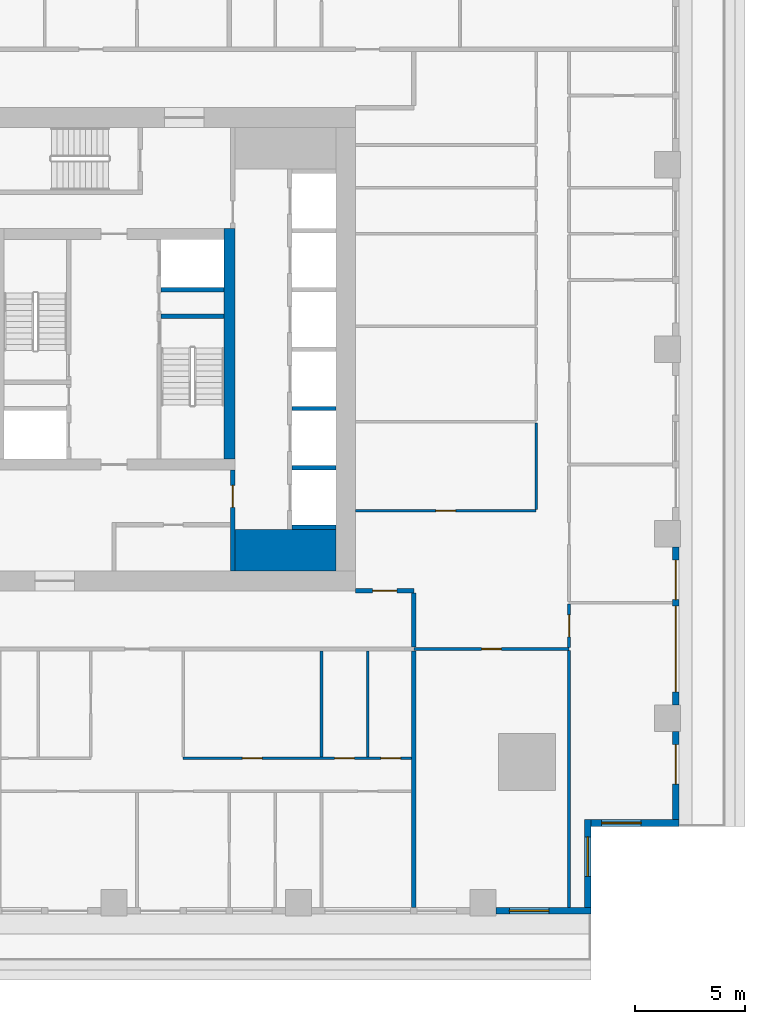
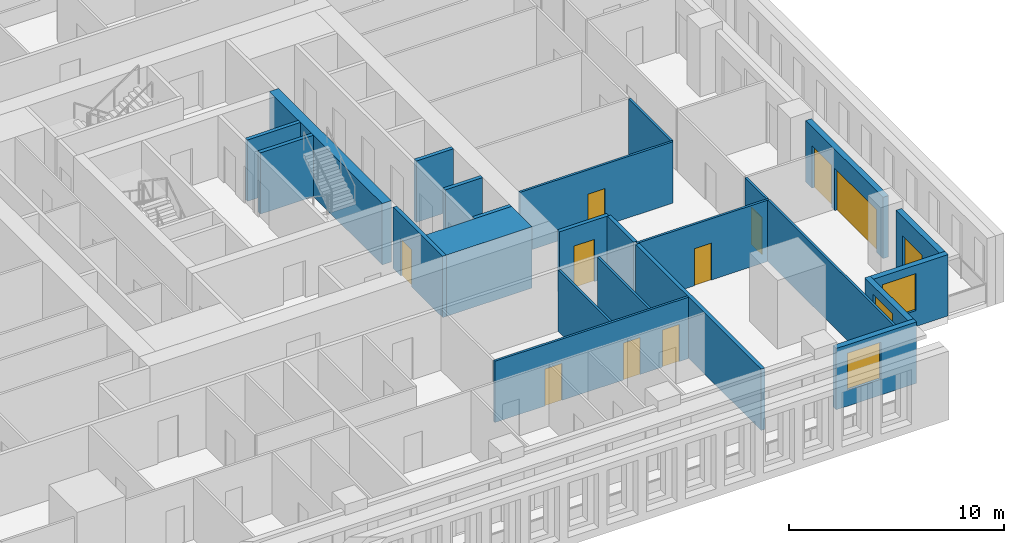
# One storey, part 5 of 16: 24 walls, 11 doors, 3 windows, 14 openings.
"""IFC4 building model written with IfcOpenShell, lengths in metres."""

import ifcopenshell
import ifcopenshell.guid

model = None  # the IFC model being written
_history = None  # IfcOwnerHistory: only IFC2X3 demands one
_inside = {}  # id of a spatial element -> (the spatial element, [elements in it])
_under = {}  # id of a project, library or spatial element -> (it, [spatial elements below it])
_declared = {}  # id of a project -> (the project, [libraries it declares])
_typed = {}  # id of a type object -> (the type object, [elements of that type])
_made_of = {}  # id of a material, layer set ... -> (it, [elements and type objects made of it])


def new_model(schema):
    """Start an empty IFC model of exactly this schema.

    Asked for "IFC4X3", IfcOpenShell would pick the latest addendum, in which some entities
    have other attributes; the version numbers below select the first issue.
    IFC2X3 requires an IfcOwnerHistory on every rooted entity: one is made here for all.
    """
    global model, _history
    if schema == "IFC4X3":
        model = ifcopenshell.file(schema_version=(4, 3, 0, 0))
    else:
        model = ifcopenshell.file(schema=schema)
    _inside.clear()
    _under.clear()
    _declared.clear()
    _typed.clear()
    _made_of.clear()
    _history = None
    if model.schema == "IFC2X3":
        org = make("IfcOrganization", Name="unknown")
        user = make(
            "IfcPersonAndOrganization",
            ThePerson=make("IfcPerson", FamilyName="unknown"),
            TheOrganization=org,
        )
        app = make(
            "IfcApplication",
            ApplicationDeveloper=org,
            Version="unknown",
            ApplicationFullName="unknown",
            ApplicationIdentifier="unknown",
        )
        _history = make(
            "IfcOwnerHistory",
            OwningUser=user,
            OwningApplication=app,
            ChangeAction="ADDED",
            CreationDate=0,
        )
    return model


def make(cls, **values):
    """One entity of the class cls with the attributes given. An attribute that is None is left unset."""
    return model.create_entity(
        cls, **{name: value for name, value in values.items() if value is not None}
    )


def rooted(cls, **values):
    """An entity with a GlobalId (a new one), such as an element, a storey or a relation."""
    return make(cls, GlobalId=ifcopenshell.guid.new(), OwnerHistory=_history, **values)


def si_unit(unit_type, name, prefix=None):
    """IfcSIUnit, for example si_unit("LENGTHUNIT", "METRE", prefix="MILLI")."""
    return make("IfcSIUnit", UnitType=unit_type, Prefix=prefix, Name=name)


def assignment(units):
    """IfcUnitAssignment: the units of a project."""
    return None if units is None else make("IfcUnitAssignment", Units=units)


def point(xyz):
    """IfcCartesianPoint."""
    return None if xyz is None else make("IfcCartesianPoint", Coordinates=xyz)


def direction(xyz):
    """IfcDirection."""
    return None if xyz is None else make("IfcDirection", DirectionRatios=xyz)


def frame(location, z_axis=None, x_axis=None):
    """IfcAxis2Placement3D, a coordinate frame: its origin and axes. An axis left out is left unset."""
    return make(
        "IfcAxis2Placement3D",
        Location=point(location),
        Axis=direction(z_axis),
        RefDirection=direction(x_axis),
    )


def frame_2d(location, x_axis=None):
    """IfcAxis2Placement2D, a coordinate frame in the plane: its origin and x axis."""
    return make(
        "IfcAxis2Placement2D", Location=point(location), RefDirection=direction(x_axis)
    )


def origin():
    """The frame at (0, 0, 0) with its axes left unset."""
    return frame((0.0, 0.0, 0.0))


def place(relative_to, where):
    """IfcLocalPlacement: puts the frame where relative to a parent placement (None: the world)."""
    return make(
        "IfcLocalPlacement", PlacementRelTo=relative_to, RelativePlacement=where
    )


def context(
    kind, dimensions, precision=None, world=None, true_north=None, identifier=None
):
    """IfcGeometricRepresentationContext, for example the 3D "Model" context."""
    return make(
        "IfcGeometricRepresentationContext",
        ContextIdentifier=identifier,
        ContextType=kind,
        CoordinateSpaceDimension=dimensions,
        Precision=precision,
        WorldCoordinateSystem=world,
        TrueNorth=true_north,
    )


def subcontext(parent, identifier, kind, view, scale=None):
    """IfcGeometricRepresentationSubContext, for example "Body" below "Model"."""
    return make(
        "IfcGeometricRepresentationSubContext",
        ContextIdentifier=identifier,
        ContextType=kind,
        ParentContext=parent,
        TargetScale=scale,
        TargetView=view,
    )


def project(units=None, contexts=None):
    """IfcProject with its units and contexts."""
    return rooted(
        "IfcProject",
        Name="project",
        RepresentationContexts=contexts,
        UnitsInContext=assignment(units),
    )


def spatial(cls, under=None, at=None, **own):
    """A site, building, storey or space (cls), placed at a placement, below another one or the project."""
    s = rooted(cls, ObjectPlacement=at, **own)
    if under is not None:
        _under.setdefault(under.id(), (under, []))[1].append(s)
    return s


def profile(cls, at=None, kind="AREA", **sizes):
    """A parametric profile (cls). Its sizes go by their IFC names, for example OverallWidth=200.0."""
    return make(cls, ProfileType=kind, Position=at, **sizes)


def rectangle(**sizes):
    """IfcRectangleProfileDef."""
    return profile("IfcRectangleProfileDef", **sizes)


def extrude(swept, where, along, depth):
    """IfcExtrudedAreaSolid: the profile swept, set in the frame where, extruded along a direction by depth."""
    return make(
        "IfcExtrudedAreaSolid",
        SweptArea=swept,
        Position=where,
        ExtrudedDirection=direction(along),
        Depth=depth,
    )


def shape(context_of_items, identifier, shape_type, items):
    """IfcShapeRepresentation: the items that make up one representation, for example the "Body"."""
    return make(
        "IfcShapeRepresentation",
        ContextOfItems=context_of_items,
        RepresentationIdentifier=identifier,
        RepresentationType=shape_type,
        Items=items,
    )


def material(Name=None, Category=None):
    """IfcMaterial."""
    return make("IfcMaterial", Name=Name, Category=Category)


def layer(
    of_material, thickness, ventilated=None, Name=None, Category=None, Priority=None
):
    """IfcMaterialLayer: one layer of a wall or slab, of a material (None: an air gap)."""
    return make(
        "IfcMaterialLayer",
        Material=of_material,
        LayerThickness=thickness,
        IsVentilated=ventilated,
        Name=Name,
        Category=Category,
        Priority=Priority,
    )


def layer_set(layers, Name=None):
    """IfcMaterialLayerSet."""
    return make("IfcMaterialLayerSet", MaterialLayers=layers, LayerSetName=Name)


def made_of(thing, what):
    """Note that an element or type object is made of a material, layer set ...; save() writes the relation."""
    if what is not None:
        _made_of.setdefault(what.id(), (what, []))[1].append(thing)
    return thing


def type_object(cls, material=None, **own):
    """A type object (cls), such as IfcWallType, which elements share."""
    return made_of(rooted(cls, **own), material)


def element(
    cls,
    number,
    at=None,
    inside=None,
    cuts=None,
    type_object=None,
    material=None,
    context=None,
    identifier="Body",
    shape_type=None,
    held_by="IfcProductDefinitionShape",
    body=None,
    shapes=None,
    **own,
):
    """One element of the class cls, such as IfcWall. Its Tag is "e" and its number.

    at: its placement. inside: the storey or other place that contains it. cuts: it is an
    opening in that element (IfcRelVoidsElement). A single representation is given by context,
    identifier, shape_type and body (its items); several are given by shapes. held_by: the class
    of the entity that holds the representations. save() writes the other relations.
    """
    e = rooted(cls, Tag="e%d" % number, ObjectPlacement=at, **own)
    if body is not None:
        shapes = [shape(context, identifier, shape_type, body)]
    if shapes is not None:
        e.Representation = make(held_by, Representations=shapes)
    if inside is not None:
        _inside.setdefault(inside.id(), (inside, []))[1].append(e)
    if cuts is not None:
        rooted(
            "IfcRelVoidsElement", RelatingBuildingElement=cuts, RelatedOpeningElement=e
        )
    if type_object is not None:
        _typed.setdefault(type_object.id(), (type_object, []))[1].append(e)
    return made_of(e, material)


def fill(opening, filler):
    """IfcRelFillsElement: the door or window that sits in an opening."""
    return rooted(
        "IfcRelFillsElement",
        RelatingOpeningElement=opening,
        RelatedBuildingElement=filler,
    )


def aggregate(whole, parts):
    """IfcRelAggregates: a whole, such as a stair, and the parts it consists of."""
    return rooted("IfcRelAggregates", RelatingObject=whole, RelatedObjects=parts)


def save(model, path):
    """Write the relations noted so far, then the file.

    IfcRelAggregates (storeys below a building ...), IfcRelContainedInSpatialStructure (elements
    in a storey), IfcRelDefinesByType, IfcRelAssociatesMaterial and IfcRelDeclares: one each for
    every whole, place, type object, material and project.
    """
    for whole, parts in _under.values():
        aggregate(whole, parts)
    for where, things in _inside.values():
        rooted(
            "IfcRelContainedInSpatialStructure",
            RelatedElements=things,
            RelatingStructure=where,
        )
    for kind, things in _typed.values():
        rooted("IfcRelDefinesByType", RelatedObjects=things, RelatingType=kind)
    for what, things in _made_of.values():
        rooted("IfcRelAssociatesMaterial", RelatedObjects=things, RelatingMaterial=what)
    for by, libraries in _declared.values():
        rooted("IfcRelDeclares", RelatingContext=by, RelatedDefinitions=libraries)
    model.write(path)


model = new_model("IFC4")

# Units and contexts
model_context = context("Model", 3, precision=1e-05, world=origin(), true_north=direction((0.0, 1.0)))
body_context = subcontext(model_context, "Body", "Model", "MODEL_VIEW")
ifc_project = project(units=[si_unit("LENGTHUNIT", "METRE"), si_unit("AREAUNIT", "SQUARE_METRE"), si_unit("VOLUMEUNIT", "CUBIC_METRE"), si_unit("PLANEANGLEUNIT", "RADIAN"), si_unit("MASSUNIT", "GRAM", prefix="KILO")], contexts=[model_context])

# Site, building, storey
site_placement = place(None, origin())
site = spatial("IfcSite", under=ifc_project, at=site_placement, CompositionType="ELEMENT")
building_placement = place(site_placement, origin())
building = spatial("IfcBuilding", under=site, at=building_placement, Name="Khepri Terraces", CompositionType="ELEMENT")
storey_placement = place(building_placement, frame((0.0, 0.0, 137.699951171875)))
storey = spatial("IfcBuildingStorey", under=building, at=storey_placement, Name="L32", CompositionType="ELEMENT", Elevation=137.699951171875)

# Walls
ifc_material_1 = material(Name="Concrete C60/75", Category="concrete")
ifc_layer_1 = layer(ifc_material_1, 1.89990234375, Name="Concrete C60/75", Category="concrete")
ifc_layer_set_1 = layer_set([ifc_layer_1], Name="Concrete C60/75")
wall_type_1 = type_object("IfcWallType", Name="Core wall 1900 C60/75", PredefinedType="SHEAR", material=ifc_layer_set_1)
wall_1_placement = place(storey_placement, frame((5.5, -9.14990234375, 0.0), z_axis=(0.0, 0.0, 1.0), x_axis=(1.0, 0.0, 0.0)))
element("IfcWall", 1, at=wall_1_placement, inside=storey, type_object=wall_type_1, Name="Core wall PR02 L32", PredefinedType="SHEAR", context=body_context, shape_type="SweptSolid", body=[
    extrude(rectangle(XDim=4.60009765625, YDim=1.89990234375, at=frame_2d((2.300048828125, 0.0))), origin(), (0.0, 0.0, 1.0), 3.47998046875),
])
ifc_layer_2 = layer(ifc_material_1, 0.199951171875, Name="Concrete C60/75", Category="concrete")
ifc_layer_set_2 = layer_set([ifc_layer_2], Name="Concrete C60/75")
wall_type_2 = type_object("IfcWallType", Name="Core wall 200 C60/75", PredefinedType="SHEAR", material=ifc_layer_set_2)
wall_2_placement = place(storey_placement, frame((2.14990234375, 1.5, 0.0), z_axis=(0.0, 0.0, 1.0), x_axis=(1.0, 0.0, 0.0)))
element("IfcWall", 2, at=wall_2_placement, inside=storey, type_object=wall_type_2, Name="Core wall ST04 L32", PredefinedType="SHEAR", context=body_context, shape_type="SweptSolid", body=[
    extrude(rectangle(XDim=2.85009765625, YDim=0.199951171875, at=frame_2d((1.425048828125, 0.0))), origin(), (0.0, 0.0, 1.0), 3.47998046875),
])
for number, where, z_axis, x_axis, name in (
    (3, (8.10009765625, -8.10009765625, 0.0), (0.0, 0.0, 1.0), (1.0, 0.0, 0.0), "Core wall SH03 L32"),
    (4, (8.10009765625, -5.39990234375, 0.0), (0.0, 0.0, 1.0), (1.0, 0.0, 0.0), "Core wall SH04 L32"),
    (5, (8.10009765625, -2.699951171875, 0.0), (0.0, 0.0, 1.0), (1.0, 0.0, 0.0), "Core wall SH08 L32"),
):
    element("IfcWall", number, at=place(storey_placement, frame(where, z_axis=z_axis, x_axis=x_axis)), inside=storey, type_object=wall_type_2, Name=name, PredefinedType="SHEAR", context=body_context, shape_type="SweptSolid", body=[
        extrude(rectangle(XDim=2.0, YDim=0.199951171875, at=frame_2d((1.0, 0.0))), origin(), (0.0, 0.0, 1.0), 3.47998046875),
    ])
wall_3_placement = place(storey_placement, frame((2.14990234375, 2.699951171875, 0.0), z_axis=(0.0, 0.0, 1.0), x_axis=(1.0, 0.0, 0.0)))
element("IfcWall", 6, at=wall_3_placement, inside=storey, type_object=wall_type_2, Name="Core wall SH12 L32", PredefinedType="SHEAR", context=body_context, shape_type="SweptSolid", body=[
    extrude(rectangle(XDim=2.85009765625, YDim=0.199951171875, at=frame_2d((1.425048828125, 0.0))), origin(), (0.0, 0.0, 1.0), 3.47998046875),
])
ifc_layer_3 = layer(ifc_material_1, 0.5, Name="Concrete C60/75", Category="concrete")
ifc_layer_set_3 = layer_set([ifc_layer_3], Name="Concrete C60/75")
wall_type_3 = type_object("IfcWallType", Name="Core wall 500 C60/75", PredefinedType="SHEAR", material=ifc_layer_set_3)
wall_4_placement = place(storey_placement, frame((5.25, -5.0, 0.0), z_axis=(0.0, 0.0, 1.0), x_axis=(0.0, 1.0, 0.0)))
element("IfcWall", 7, at=wall_4_placement, inside=storey, type_object=wall_type_3, Name="Core wall BX03 L32", PredefinedType="SHEAR", context=body_context, shape_type="SweptSolid", body=[
    extrude(rectangle(XDim=10.5, YDim=0.5, at=frame_2d((5.25, 0.0))), origin(), (0.0, 0.0, 1.0), 3.47998046875),
])

# Wall, opening, door
ifc_material_2 = material(Name="Fire-rated gypsum board partition")
ifc_layer_4 = layer(ifc_material_2, 0.199951171875, Name="Fire-rated gypsum board partition")
ifc_layer_set_4 = layer_set([ifc_layer_4], Name="Fire-rated gypsum board partition")
wall_type_4 = type_object("IfcWallType", Name="WL-CORE-PART-200", PredefinedType="PARTITIONING", material=ifc_layer_set_4)
wall_5_placement = place(storey_placement, frame((5.39990234375, -10.10009765625, 0.0), z_axis=(0.0, 0.0, 1.0), x_axis=(0.0, 1.0, 0.0)))
wall_5 = element("IfcWall", 8, at=wall_5_placement, inside=storey, type_object=wall_type_4, Name="Core partition PT03 L32", PredefinedType="PARTITIONING", context=body_context, shape_type="SweptSolid", body=[
    extrude(rectangle(XDim=4.60009765625, YDim=0.199951171875, at=frame_2d((2.300048828125, 0.0))), origin(), (0.0, 0.0, 1.0), 3.47998046875),
])
opening_1_placement = place(wall_5_placement, frame((2.89990234375, 0.0, 0.0)))
opening_1 = element("IfcOpeningElement", 9, at=opening_1_placement, cuts=wall_5, Name="Opening L32-C19", PredefinedType="OPENING", context=body_context, shape_type="SweptSolid", body=[
    extrude(rectangle(XDim=1.0, YDim=2.10009765625, at=frame_2d((0.5, 1.050048828125))), frame((0.0, 0.10986328125, 0.0), z_axis=(0.0, -1.0, 0.0), x_axis=(1.0, 0.0, 0.0)), (0.0, 0.0, 1.0), 0.219970703125),
])
ifc_material_3 = material(Name="Painted steel", Category="steel")
door_type_1 = type_object("IfcDoorType", Name="DR-CORE-LOBBY-1000", OperationType="NOTDEFINED", PredefinedType="DOOR", material=ifc_material_3)
door_1_placement = place(opening_1_placement, origin())
door_1 = element("IfcDoor", 10, at=door_1_placement, inside=storey, type_object=door_type_1, Name="Lobby door L32-C19", OperationType="SINGLE_SWING_RIGHT", OverallHeight=2.10009765625, OverallWidth=1.0, PredefinedType="DOOR", context=body_context, shape_type="SweptSolid", body=[
    extrude(rectangle(XDim=1.0, YDim=2.10009765625, at=frame_2d((0.5, 1.050048828125))), frame((0.0, 0.02490234375, 0.0), z_axis=(0.0, -1.0, 0.0), x_axis=(1.0, 0.0, 0.0)), (0.0, 0.0, 1.0), 0.050048828125),
])
fill(opening_1, door_1)

# Walls
ifc_material_4 = material(Name="Fire-rated gypsum plasterboard partition, mineral wool")
ifc_layer_5 = layer(ifc_material_4, 0.199951171875, Name="Fire-rated gypsum plasterboard partition, mineral wool")
ifc_layer_set_5 = layer_set([ifc_layer_5], Name="Fire-rated gypsum plasterboard partition, mineral wool")
wall_type_5 = type_object("IfcWallType", Name="WL-CORR-200", PredefinedType="PARTITIONING", material=ifc_layer_set_5)
wall_6_placement = place(storey_placement, frame((13.64990234375, -25.419921875, 0.0), z_axis=(0.0, 0.0, 1.0), x_axis=(0.0, 1.0, 0.0)))
element("IfcWall", 11, at=wall_6_placement, inside=storey, type_object=wall_type_5, Name="Partition P-009 L32", PredefinedType="PARTITIONING", context=body_context, shape_type="SweptSolid", body=[
    extrude(rectangle(XDim=11.669921875, YDim=0.199951171875, at=frame_2d((5.8349609375, 0.0))), origin(), (0.0, 0.0, 1.0), 3.47998046875),
])
wall_7_placement = place(storey_placement, frame((13.64990234375, -13.550048828125, 0.0), z_axis=(0.0, 0.0, 1.0), x_axis=(0.0, 1.0, 0.0)))
element("IfcWall", 12, at=wall_7_placement, inside=storey, type_object=wall_type_5, Name="Partition P-031 L32", PredefinedType="PARTITIONING", context=body_context, shape_type="SweptSolid", body=[
    extrude(rectangle(XDim=2.449951171875, YDim=0.199951171875, at=frame_2d((1.22509765625, 0.0))), origin(), (0.0, 0.0, 1.0), 3.47998046875),
])

# Wall, opening, door
wall_8_placement = place(storey_placement, frame((11.0, -11.0, 0.0), z_axis=(0.0, 0.0, 1.0), x_axis=(1.0, 0.0, 0.0)))
wall_8 = element("IfcWall", 13, at=wall_8_placement, inside=storey, type_object=wall_type_5, Name="Partition P-037 L32", PredefinedType="PARTITIONING", context=body_context, shape_type="SweptSolid", body=[
    extrude(rectangle(XDim=2.64990234375, YDim=0.199951171875, at=frame_2d((1.324951171875, 0.0))), origin(), (0.0, 0.0, 1.0), 3.47998046875),
])
opening_2_placement = place(wall_8_placement, frame((0.77490234375, 0.0, 0.0)))
opening_2 = element("IfcOpeningElement", 14, at=opening_2_placement, cuts=wall_8, Name="Opening D1", PredefinedType="OPENING", context=body_context, shape_type="SweptSolid", body=[
    extrude(rectangle(XDim=1.10009765625, YDim=2.39990234375, at=frame_2d((0.550048828125, 1.199951171875))), frame((0.0, 0.10986328125, 0.0), z_axis=(0.0, -1.0, 0.0), x_axis=(1.0, 0.0, 0.0)), (0.0, 0.0, 1.0), 0.219970703125),
])
ifc_material_5 = material(Name="Solid-core timber door leaf, flat entrance door", Category="wood")
door_type_2 = type_object("IfcDoorType", Name="DR-ENT-1100", OperationType="NOTDEFINED", PredefinedType="DOOR", material=ifc_material_5)
door_2_placement = place(opening_2_placement, origin())
door_2 = element("IfcDoor", 15, at=door_2_placement, inside=storey, type_object=door_type_2, Name="Flat B1 entrance door", OperationType="SINGLE_SWING_LEFT", OverallHeight=2.39990234375, OverallWidth=1.10009765625, PredefinedType="DOOR", context=body_context, shape_type="SweptSolid", body=[
    extrude(rectangle(XDim=1.10009765625, YDim=2.39990234375, at=frame_2d((0.550048828125, 1.199951171875))), frame((0.0, 0.02490234375, 0.0), z_axis=(0.0, -1.0, 0.0), x_axis=(1.0, 0.0, 0.0)), (0.0, 0.0, 1.0), 0.050048828125),
])
fill(opening_2, door_2)

# Wall, opening, window
ifc_material_6 = material(Name="Precast concrete C50/60 warm stone", Category="masonry")
ifc_layer_6 = layer(ifc_material_6, 0.300048828125, Name="Precast concrete C50/60 warm stone", Category="masonry")
ifc_layer_set_6 = layer_set([ifc_layer_6], Name="Precast concrete C50/60 warm stone")
wall_type_6 = type_object("IfcWallType", Name="WL-EXT-PRECAST-300", PredefinedType="STANDARD", material=ifc_layer_set_6)
wall_9_placement = place(storey_placement, frame((21.719970703125, -21.570068359375, 0.0), z_axis=(0.0, 0.0, 1.0), x_axis=(1.0, 0.0, 0.0)))
wall_9 = element("IfcWall", 16, at=wall_9_placement, inside=storey, type_object=wall_type_6, Name="External wall L32 S", PredefinedType="STANDARD", context=body_context, shape_type="SweptSolid", body=[
    extrude(rectangle(XDim=4.0, YDim=0.300048828125, at=frame_2d((2.0, 0.0))), origin(), (0.0, 0.0, 1.0), 3.47998046875),
])
opening_3_placement = place(wall_9_placement, frame((0.47998046875, 0.0, 0.89990234375)))
opening_3 = element("IfcOpeningElement", 17, at=opening_3_placement, cuts=wall_9, Name="Opening W1", PredefinedType="OPENING", context=body_context, shape_type="SweptSolid", body=[
    extrude(rectangle(XDim=1.800048828125, YDim=2.10009765625, at=frame_2d((0.89990234375, 1.050048828125))), frame((0.0, 0.16015625, 0.0), z_axis=(0.0, -1.0, 0.0), x_axis=(1.0, 0.0, 0.0)), (0.0, 0.0, 1.0), 0.320068359375),
])
ifc_material_7 = material(Name="Clear glass", Category="glass")
window_type = type_object("IfcWindowType", Name="WIN-RES-1800x2100", PartitioningType="SINGLE_PANEL", PredefinedType="WINDOW", material=ifc_material_7)
window_1_placement = place(opening_3_placement, origin())
window_1 = element("IfcWindow", 18, at=window_1_placement, inside=storey, type_object=window_type, Name="Window L32 S", OverallHeight=2.10009765625, OverallWidth=1.800048828125, PartitioningType="SINGLE_PANEL", PredefinedType="WINDOW", context=body_context, shape_type="SweptSolid", body=[
    extrude(rectangle(XDim=1.800048828125, YDim=2.10009765625, at=frame_2d((0.89990234375, 1.050048828125))), frame((0.0, 0.030029296875, 0.0), z_axis=(0.0, -1.0, 0.0), x_axis=(1.0, 0.0, 0.0)), (0.0, 0.0, 1.0), 0.06005859375),
])
fill(opening_3, window_1)

# Wall, opening, door
wall_10_placement = place(storey_placement, frame((25.570068359375, -21.419921875, 0.0), z_axis=(0.0, 0.0, 1.0), x_axis=(0.0, 1.0, 0.0)))
wall_10 = element("IfcWall", 19, at=wall_10_placement, inside=storey, type_object=wall_type_6, Name="External wall L32 E", PredefinedType="STANDARD", context=body_context, shape_type="SweptSolid", body=[
    extrude(rectangle(XDim=4.02001953125, YDim=0.300048828125, at=frame_2d((2.010009765625, 0.0))), origin(), (0.0, 0.0, 1.0), 3.47998046875),
])
opening_4_placement = place(wall_10_placement, frame((1.6201171875, 0.0, 0.0)))
opening_4 = element("IfcOpeningElement", 20, at=opening_4_placement, cuts=wall_10, Name="Opening ED-L32-01", PredefinedType="OPENING", context=body_context, shape_type="SweptSolid", body=[
    extrude(rectangle(XDim=1.800048828125, YDim=2.39990234375, at=frame_2d((0.89990234375, 1.199951171875))), frame((0.0, 0.16015625, 0.0), z_axis=(0.0, -1.0, 0.0), x_axis=(1.0, 0.0, 0.0)), (0.0, 0.0, 1.0), 0.320068359375),
])
ifc_material_8 = material(Name="Anodised aluminium bronze glazed door", Category="aluminium")
door_type_3 = type_object("IfcDoorType", Name="DR-BAL-SLIDE-1800x2400", OperationType="NOTDEFINED", PredefinedType="DOOR", material=ifc_material_8)
door_3_placement = place(opening_4_placement, origin())
door_3 = element("IfcDoor", 21, at=door_3_placement, inside=storey, type_object=door_type_3, Name="Balcony door L32 E", OperationType="SLIDING_TO_RIGHT", OverallHeight=2.39990234375, OverallWidth=1.800048828125, PredefinedType="DOOR", context=body_context, shape_type="SweptSolid", body=[
    extrude(rectangle(XDim=1.800048828125, YDim=2.39990234375, at=frame_2d((0.89990234375, 1.199951171875))), frame((0.0, 0.02490234375, 0.0), z_axis=(0.0, -1.0, 0.0), x_axis=(1.0, 0.0, 0.0)), (0.0, 0.0, 1.0), 0.050048828125),
])
fill(opening_4, door_3)

# Wall, openings, doors
wall_11_placement = place(storey_placement, frame((25.570068359375, -16.199951171875, 0.0), z_axis=(0.0, 0.0, 1.0), x_axis=(0.0, 1.0, 0.0)))
wall_11 = element("IfcWall", 22, at=wall_11_placement, inside=storey, type_object=wall_type_6, Name="External wall L32 E", PredefinedType="STANDARD", context=body_context, shape_type="SweptSolid", body=[
    extrude(rectangle(XDim=7.199951171875, YDim=0.300048828125, at=frame_2d((3.60009765625, 0.0))), origin(), (0.0, 0.0, 1.0), 3.47998046875),
])
opening_5_placement = place(wall_11_placement, frame((0.60009765625, 0.0, 0.0)))
opening_5 = element("IfcOpeningElement", 23, at=opening_5_placement, cuts=wall_11, Name="Opening ED-L32-02", PredefinedType="OPENING", context=body_context, shape_type="SweptSolid", body=[
    extrude(rectangle(XDim=3.89990234375, YDim=2.39990234375, at=frame_2d((1.949951171875, 1.199951171875))), frame((0.0, 0.16015625, 0.0), z_axis=(0.0, -1.0, 0.0), x_axis=(1.0, 0.0, 0.0)), (0.0, 0.0, 1.0), 0.320068359375),
])
opening_6_placement = place(wall_11_placement, frame((4.800048828125, 0.0, 0.0)))
opening_6 = element("IfcOpeningElement", 24, at=opening_6_placement, cuts=wall_11, Name="Opening ED-L32-03", PredefinedType="OPENING", context=body_context, shape_type="SweptSolid", body=[
    extrude(rectangle(XDim=1.800048828125, YDim=2.39990234375, at=frame_2d((0.89990234375, 1.199951171875))), frame((0.0, 0.16015625, 0.0), z_axis=(0.0, -1.0, 0.0), x_axis=(1.0, 0.0, 0.0)), (0.0, 0.0, 1.0), 0.320068359375),
])
door_4_placement = place(opening_6_placement, origin())
door_4 = element("IfcDoor", 25, at=door_4_placement, inside=storey, type_object=door_type_3, Name="Balcony door L32 E", OperationType="SLIDING_TO_RIGHT", OverallHeight=2.39990234375, OverallWidth=1.800048828125, PredefinedType="DOOR", context=body_context, shape_type="SweptSolid", body=[
    extrude(rectangle(XDim=1.800048828125, YDim=2.39990234375, at=frame_2d((0.89990234375, 1.199951171875))), frame((0.0, 0.02490234375, 0.0), z_axis=(0.0, -1.0, 0.0), x_axis=(1.0, 0.0, 0.0)), (0.0, 0.0, 1.0), 0.050048828125),
])
fill(opening_6, door_4)
door_type_4 = type_object("IfcDoorType", Name="DR-BAL-SLIDE-3900x2400", OperationType="NOTDEFINED", PredefinedType="DOOR", material=ifc_material_8)
door_5_placement = place(opening_5_placement, origin())
door_5 = element("IfcDoor", 26, at=door_5_placement, inside=storey, type_object=door_type_4, Name="Balcony door L32 E", OperationType="SLIDING_TO_LEFT", OverallHeight=2.39990234375, OverallWidth=3.89990234375, PredefinedType="DOOR", context=body_context, shape_type="SweptSolid", body=[
    extrude(rectangle(XDim=3.89990234375, YDim=2.39990234375, at=frame_2d((1.949951171875, 1.199951171875))), frame((0.0, 0.02490234375, 0.0), z_axis=(0.0, -1.0, 0.0), x_axis=(1.0, 0.0, 0.0)), (0.0, 0.0, 1.0), 0.050048828125),
])
fill(opening_5, door_5)

# Wall, opening, window
wall_12_placement = place(storey_placement, frame((17.39990234375, -25.570068359375, 0.0), z_axis=(0.0, 0.0, 1.0), x_axis=(1.0, 0.0, 0.0)))
wall_12 = element("IfcWall", 27, at=wall_12_placement, inside=storey, type_object=wall_type_6, Name="External wall L32 S", PredefinedType="STANDARD", context=body_context, shape_type="SweptSolid", body=[
    extrude(rectangle(XDim=4.320068359375, YDim=0.300048828125, at=frame_2d((2.16015625, 0.0))), origin(), (0.0, 0.0, 1.0), 3.47998046875),
])
opening_7_placement = place(wall_12_placement, frame((0.60009765625, 0.0, 0.89990234375)))
opening_7 = element("IfcOpeningElement", 28, at=opening_7_placement, cuts=wall_12, Name="Opening W1", PredefinedType="OPENING", context=body_context, shape_type="SweptSolid", body=[
    extrude(rectangle(XDim=1.800048828125, YDim=2.10009765625, at=frame_2d((0.89990234375, 1.050048828125))), frame((0.0, 0.16015625, 0.0), z_axis=(0.0, -1.0, 0.0), x_axis=(1.0, 0.0, 0.0)), (0.0, 0.0, 1.0), 0.320068359375),
])
window_2_placement = place(opening_7_placement, origin())
window_2 = element("IfcWindow", 29, at=window_2_placement, inside=storey, type_object=window_type, Name="Window L32 S", OverallHeight=2.10009765625, OverallWidth=1.800048828125, PartitioningType="SINGLE_PANEL", PredefinedType="WINDOW", context=body_context, shape_type="SweptSolid", body=[
    extrude(rectangle(XDim=1.800048828125, YDim=2.10009765625, at=frame_2d((0.89990234375, 1.050048828125))), frame((0.0, 0.030029296875, 0.0), z_axis=(0.0, -1.0, 0.0), x_axis=(1.0, 0.0, 0.0)), (0.0, 0.0, 1.0), 0.06005859375),
])
fill(opening_7, window_2)

wall_13_placement = place(storey_placement, frame((21.570068359375, -25.419921875, 0.0), z_axis=(0.0, 0.0, 1.0), x_axis=(0.0, 1.0, 0.0)))
wall_13 = element("IfcWall", 30, at=wall_13_placement, inside=storey, type_object=wall_type_6, Name="External wall L32 E", PredefinedType="STANDARD", context=body_context, shape_type="SweptSolid", body=[
    extrude(rectangle(XDim=4.0, YDim=0.300048828125, at=frame_2d((2.0, 0.0))), origin(), (0.0, 0.0, 1.0), 3.47998046875),
])
opening_8_placement = place(wall_13_placement, frame((1.419921875, 0.0, 0.89990234375)))
opening_8 = element("IfcOpeningElement", 31, at=opening_8_placement, cuts=wall_13, Name="Opening W1", PredefinedType="OPENING", context=body_context, shape_type="SweptSolid", body=[
    extrude(rectangle(XDim=1.800048828125, YDim=2.10009765625, at=frame_2d((0.89990234375, 1.050048828125))), frame((0.0, 0.16015625, 0.0), z_axis=(0.0, -1.0, 0.0), x_axis=(1.0, 0.0, 0.0)), (0.0, 0.0, 1.0), 0.320068359375),
])
window_3_placement = place(opening_8_placement, origin())
window_3 = element("IfcWindow", 32, at=window_3_placement, inside=storey, type_object=window_type, Name="Window L32 E", OverallHeight=2.10009765625, OverallWidth=1.800048828125, PartitioningType="SINGLE_PANEL", PredefinedType="WINDOW", context=body_context, shape_type="SweptSolid", body=[
    extrude(rectangle(XDim=1.800048828125, YDim=2.10009765625, at=frame_2d((0.89990234375, 1.050048828125))), frame((0.0, 0.030029296875, 0.0), z_axis=(0.0, -1.0, 0.0), x_axis=(1.0, 0.0, 0.0)), (0.0, 0.0, 1.0), 0.06005859375),
])
fill(opening_8, window_3)

# Wall
ifc_material_9 = material(Name="Gypsum plasterboard partition")
ifc_layer_7 = layer(ifc_material_9, 0.1201171875, Name="Gypsum plasterboard partition")
ifc_layer_set_7 = layer_set([ifc_layer_7], Name="Gypsum plasterboard partition")
wall_type_7 = type_object("IfcWallType", Name="WL-PART-120", PredefinedType="PARTITIONING", material=ifc_layer_set_7)
wall_14_placement = place(storey_placement, frame((20.719970703125, -25.419921875, 0.0), z_axis=(0.0, 0.0, 1.0), x_axis=(0.0, 1.0, 0.0)))
element("IfcWall", 33, at=wall_14_placement, inside=storey, type_object=wall_type_7, Name="Partition P-010 L32", PredefinedType="PARTITIONING", context=body_context, shape_type="SweptSolid", body=[
    extrude(rectangle(XDim=11.7099609375, YDim=0.1201171875, at=frame_2d((5.85498046875, 0.0))), origin(), (0.0, 0.0, 1.0), 3.47998046875),
])

# Wall, openings, doors
wall_15_placement = place(storey_placement, frame((3.14990234375, -18.6201171875, 0.0), z_axis=(0.0, 0.0, 1.0), x_axis=(1.0, 0.0, 0.0)))
wall_15 = element("IfcWall", 34, at=wall_15_placement, inside=storey, type_object=wall_type_7, Name="Partition P-016 L32", PredefinedType="PARTITIONING", context=body_context, shape_type="SweptSolid", body=[
    extrude(rectangle(XDim=10.400146484375, YDim=0.1201171875, at=frame_2d((5.2001953125, 0.0))), origin(), (0.0, 0.0, 1.0), 3.47998046875),
])
opening_9_placement = place(wall_15_placement, frame((2.699951171875, 0.0, 0.0)))
opening_9 = element("IfcOpeningElement", 35, at=opening_9_placement, cuts=wall_15, Name="Opening D3", PredefinedType="OPENING", context=body_context, shape_type="SweptSolid", body=[
    extrude(rectangle(XDim=0.89990234375, YDim=2.10009765625, at=frame_2d((0.449951171875, 1.050048828125))), frame((0.0, 0.070068359375, 0.0), z_axis=(0.0, -1.0, 0.0), x_axis=(1.0, 0.0, 0.0)), (0.0, 0.0, 1.0), 0.14013671875),
])
opening_10_placement = place(wall_15_placement, frame((6.89990234375, 0.0, 0.0)))
opening_10 = element("IfcOpeningElement", 36, at=opening_10_placement, cuts=wall_15, Name="Opening D3", PredefinedType="OPENING", context=body_context, shape_type="SweptSolid", body=[
    extrude(rectangle(XDim=0.89990234375, YDim=2.10009765625, at=frame_2d((0.449951171875, 1.050048828125))), frame((0.0, 0.070068359375, 0.0), z_axis=(0.0, -1.0, 0.0), x_axis=(1.0, 0.0, 0.0)), (0.0, 0.0, 1.0), 0.14013671875),
])
opening_11_placement = place(wall_15_placement, frame((9.0, 0.0, 0.0)))
opening_11 = element("IfcOpeningElement", 37, at=opening_11_placement, cuts=wall_15, Name="Opening D3", PredefinedType="OPENING", context=body_context, shape_type="SweptSolid", body=[
    extrude(rectangle(XDim=0.89990234375, YDim=2.10009765625, at=frame_2d((0.449951171875, 1.050048828125))), frame((0.0, 0.070068359375, 0.0), z_axis=(0.0, -1.0, 0.0), x_axis=(1.0, 0.0, 0.0)), (0.0, 0.0, 1.0), 0.14013671875),
])
ifc_material_10 = material(Name="Timber door leaf", Category="wood")
door_type_5 = type_object("IfcDoorType", Name="DR-INT-900", OperationType="NOTDEFINED", PredefinedType="DOOR", material=ifc_material_10)
door_6_placement = place(opening_9_placement, origin())
door_6 = element("IfcDoor", 38, at=door_6_placement, inside=storey, type_object=door_type_5, Name="Door Kitchen", OperationType="SINGLE_SWING_LEFT", OverallHeight=2.10009765625, OverallWidth=0.89990234375, PredefinedType="DOOR", context=body_context, shape_type="SweptSolid", body=[
    extrude(rectangle(XDim=0.89990234375, YDim=2.10009765625, at=frame_2d((0.449951171875, 1.050048828125))), frame((0.0, 0.02490234375, 0.0), z_axis=(0.0, -1.0, 0.0), x_axis=(1.0, 0.0, 0.0)), (0.0, 0.0, 1.0), 0.050048828125),
])
fill(opening_9, door_6)
door_7_placement = place(opening_10_placement, origin())
door_7 = element("IfcDoor", 39, at=door_7_placement, inside=storey, type_object=door_type_5, Name="Door Service Store", OperationType="SINGLE_SWING_RIGHT", OverallHeight=2.10009765625, OverallWidth=0.89990234375, PredefinedType="DOOR", context=body_context, shape_type="SweptSolid", body=[
    extrude(rectangle(XDim=0.89990234375, YDim=2.10009765625, at=frame_2d((0.449951171875, 1.050048828125))), frame((0.0, 0.02490234375, 0.0), z_axis=(0.0, -1.0, 0.0), x_axis=(1.0, 0.0, 0.0)), (0.0, 0.0, 1.0), 0.050048828125),
])
fill(opening_10, door_7)
door_8_placement = place(opening_11_placement, origin())
door_8 = element("IfcDoor", 40, at=door_8_placement, inside=storey, type_object=door_type_5, Name="Door Utility Room", OperationType="SINGLE_SWING_RIGHT", OverallHeight=2.10009765625, OverallWidth=0.89990234375, PredefinedType="DOOR", context=body_context, shape_type="SweptSolid", body=[
    extrude(rectangle(XDim=0.89990234375, YDim=2.10009765625, at=frame_2d((0.449951171875, 1.050048828125))), frame((0.0, 0.02490234375, 0.0), z_axis=(0.0, -1.0, 0.0), x_axis=(1.0, 0.0, 0.0)), (0.0, 0.0, 1.0), 0.050048828125),
])
fill(opening_11, door_8)

# Walls
for number, where, z_axis, x_axis, name in (
    (41, (9.449951171875, -18.56005859375, 0.0), (0.0, 0.0, 1.0), (0.0, 1.0, 0.0), "Partition P-020 L32"),
    (42, (11.550048828125, -18.56005859375, 0.0), (0.0, 0.0, 1.0), (0.0, 1.0, 0.0), "Partition P-021 L32"),
):
    element("IfcWall", number, at=place(storey_placement, frame(where, z_axis=z_axis, x_axis=x_axis)), inside=storey, type_object=wall_type_7, Name=name, PredefinedType="PARTITIONING", context=body_context, shape_type="SweptSolid", body=[
        extrude(rectangle(XDim=4.81005859375, YDim=0.1201171875, at=frame_2d((2.405029296875, 0.0))), origin(), (0.0, 0.0, 1.0), 3.47998046875),
    ])

# Wall, opening, door
wall_16_placement = place(storey_placement, frame((13.64990234375, -13.64990234375, 0.0), z_axis=(0.0, 0.0, 1.0), x_axis=(1.0, 0.0, 0.0)))
wall_16 = element("IfcWall", 43, at=wall_16_placement, inside=storey, type_object=wall_type_7, Name="Partition P-026 L32", PredefinedType="PARTITIONING", context=body_context, shape_type="SweptSolid", body=[
    extrude(rectangle(XDim=7.070068359375, YDim=0.1201171875, at=frame_2d((3.53515625, 0.0))), origin(), (0.0, 0.0, 1.0), 3.47998046875),
])
opening_12_placement = place(wall_16_placement, frame((3.0849609375, 0.0, 0.0)))
opening_12 = element("IfcOpeningElement", 44, at=opening_12_placement, cuts=wall_16, Name="Opening D3", PredefinedType="OPENING", context=body_context, shape_type="SweptSolid", body=[
    extrude(rectangle(XDim=0.89990234375, YDim=2.10009765625, at=frame_2d((0.449951171875, 1.050048828125))), frame((0.0, 0.070068359375, 0.0), z_axis=(0.0, -1.0, 0.0), x_axis=(1.0, 0.0, 0.0)), (0.0, 0.0, 1.0), 0.14013671875),
])
door_9_placement = place(opening_12_placement, frame((0.89990234375, 0.0, 0.0), z_axis=(0.0, 0.0, 1.0), x_axis=(-1.0, 0.0, 0.0)))
door_9 = element("IfcDoor", 45, at=door_9_placement, inside=storey, type_object=door_type_5, Name="Door Home Gym", OperationType="SINGLE_SWING_RIGHT", OverallHeight=2.10009765625, OverallWidth=0.89990234375, PredefinedType="DOOR", context=body_context, shape_type="SweptSolid", body=[
    extrude(rectangle(XDim=0.89990234375, YDim=2.10009765625, at=frame_2d((0.449951171875, 1.050048828125))), frame((0.0, 0.02490234375, 0.0), z_axis=(0.0, -1.0, 0.0), x_axis=(1.0, 0.0, 0.0)), (0.0, 0.0, 1.0), 0.050048828125),
])
fill(opening_12, door_9)

wall_17_placement = place(storey_placement, frame((20.719970703125, -13.590087890625, 0.0), z_axis=(0.0, 0.0, 1.0), x_axis=(0.0, 1.0, 0.0)))
wall_17 = element("IfcWall", 46, at=wall_17_placement, inside=storey, type_object=wall_type_7, Name="Partition P-027 L32", PredefinedType="PARTITIONING", context=body_context, shape_type="SweptSolid", body=[
    extrude(rectangle(XDim=1.97998046875, YDim=0.1201171875, at=frame_2d((0.989990234375, 0.0))), origin(), (0.0, 0.0, 1.0), 3.47998046875),
])
opening_13_placement = place(wall_17_placement, frame((0.489990234375, 0.0, 0.0)))
opening_13 = element("IfcOpeningElement", 47, at=opening_13_placement, cuts=wall_17, Name="Opening D2", PredefinedType="OPENING", context=body_context, shape_type="SweptSolid", body=[
    extrude(rectangle(XDim=1.0, YDim=2.10009765625, at=frame_2d((0.5, 1.050048828125))), frame((0.0, 0.070068359375, 0.0), z_axis=(0.0, -1.0, 0.0), x_axis=(1.0, 0.0, 0.0)), (0.0, 0.0, 1.0), 0.14013671875),
])
ifc_material_11 = material(Name="Timber door leaf, living room door", Category="wood")
door_type_6 = type_object("IfcDoorType", Name="DR-INT-1000", OperationType="NOTDEFINED", PredefinedType="DOOR", material=ifc_material_11)
door_10_placement = place(opening_13_placement, frame((1.0, 0.0, 0.0), z_axis=(0.0, 0.0, 1.0), x_axis=(-1.0, 0.0, 0.0)))
door_10 = element("IfcDoor", 48, at=door_10_placement, inside=storey, type_object=door_type_6, Name="Door Living Room", OperationType="SINGLE_SWING_RIGHT", OverallHeight=2.10009765625, OverallWidth=1.0, PredefinedType="DOOR", context=body_context, shape_type="SweptSolid", body=[
    extrude(rectangle(XDim=1.0, YDim=2.10009765625, at=frame_2d((0.5, 1.050048828125))), frame((0.0, 0.02490234375, 0.0), z_axis=(0.0, -1.0, 0.0), x_axis=(1.0, 0.0, 0.0)), (0.0, 0.0, 1.0), 0.050048828125),
])
fill(opening_13, door_10)

wall_18_placement = place(storey_placement, frame((11.0, -7.35009765625, 0.0), z_axis=(0.0, 0.0, 1.0), x_axis=(1.0, 0.0, 0.0)))
wall_18 = element("IfcWall", 49, at=wall_18_placement, inside=storey, type_object=wall_type_7, Name="Partition P-041 L32", PredefinedType="PARTITIONING", context=body_context, shape_type="SweptSolid", body=[
    extrude(rectangle(XDim=8.219970703125, YDim=0.1201171875, at=frame_2d((4.10986328125, 0.0))), origin(), (0.0, 0.0, 1.0), 3.47998046875),
])
opening_14_placement = place(wall_18_placement, frame((3.659912109375, 0.0, 0.0)))
opening_14 = element("IfcOpeningElement", 50, at=opening_14_placement, cuts=wall_18, Name="Opening D3", PredefinedType="OPENING", context=body_context, shape_type="SweptSolid", body=[
    extrude(rectangle(XDim=0.89990234375, YDim=2.10009765625, at=frame_2d((0.449951171875, 1.050048828125))), frame((0.0, 0.070068359375, 0.0), z_axis=(0.0, -1.0, 0.0), x_axis=(1.0, 0.0, 0.0)), (0.0, 0.0, 1.0), 0.14013671875),
])
door_11_placement = place(opening_14_placement, origin())
door_11 = element("IfcDoor", 51, at=door_11_placement, inside=storey, type_object=door_type_5, Name="Door Kitchen", OperationType="SINGLE_SWING_RIGHT", OverallHeight=2.10009765625, OverallWidth=0.89990234375, PredefinedType="DOOR", context=body_context, shape_type="SweptSolid", body=[
    extrude(rectangle(XDim=0.89990234375, YDim=2.10009765625, at=frame_2d((0.449951171875, 1.050048828125))), frame((0.0, 0.02490234375, 0.0), z_axis=(0.0, -1.0, 0.0), x_axis=(1.0, 0.0, 0.0)), (0.0, 0.0, 1.0), 0.050048828125),
])
fill(opening_14, door_11)

# Wall
wall_19_placement = place(storey_placement, frame((19.219970703125, -7.2900390625, 0.0), z_axis=(0.0, 0.0, 1.0), x_axis=(0.0, 1.0, 0.0)))
element("IfcWall", 52, at=wall_19_placement, inside=storey, type_object=wall_type_7, Name="Partition P-043 L32", PredefinedType="PARTITIONING", context=body_context, shape_type="SweptSolid", body=[
    extrude(rectangle(XDim=3.929931640625, YDim=0.1201171875, at=frame_2d((1.96484375, 0.0))), origin(), (0.0, 0.0, 1.0), 3.47998046875),
])

save(model, "model.ifc")
